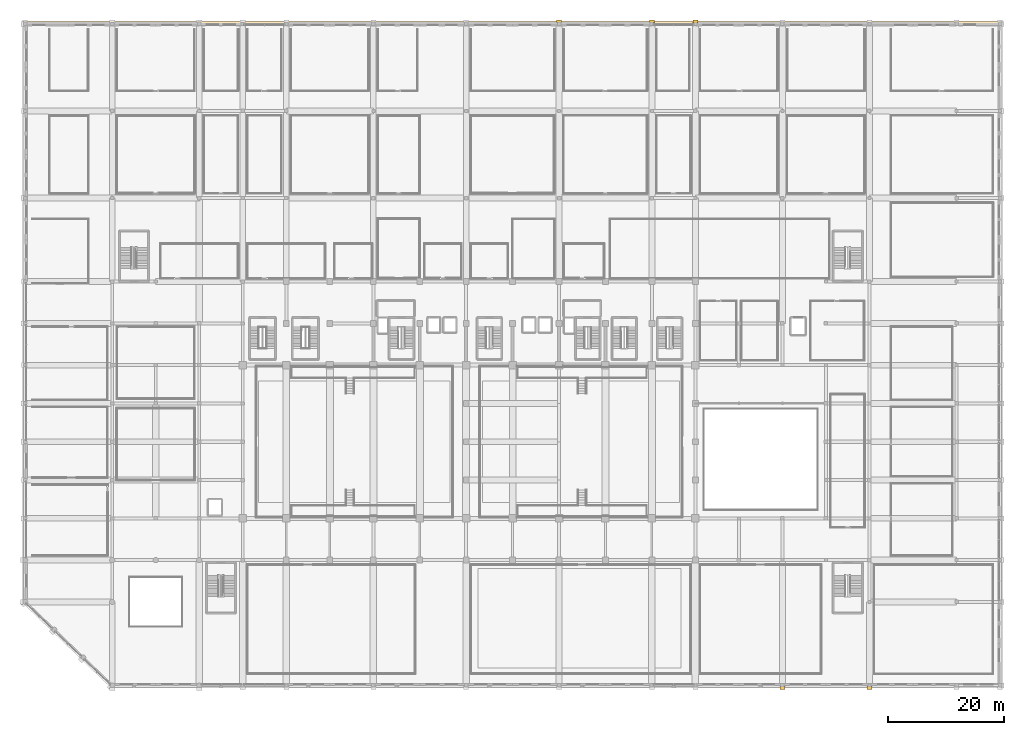
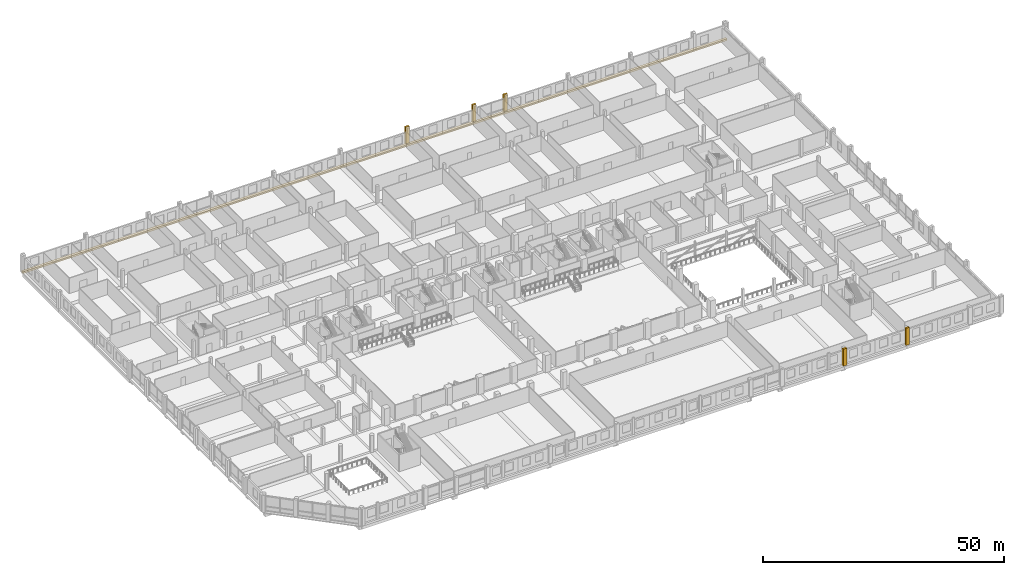
# One storey, part 65 of 68: 6 coverings.
"""IFC4 building model written with IfcOpenShell, lengths in metres."""

from ifc_helpers import new_model, si_unit, direction, frame, origin, origin_2d, place, context, subcontext, project, spatial, rectangle, extrude, material, layer, layer_set, type_object, element, save


model = new_model("IFC4")

# Units and contexts
model_context = context("Model", 3, precision=1e-05, world=origin(), true_north=direction((0.0, 1.0)))
body_context = subcontext(model_context, "Body", "Model", "MODEL_VIEW")
ifc_project = project(units=[si_unit("LENGTHUNIT", "METRE"), si_unit("AREAUNIT", "SQUARE_METRE"), si_unit("VOLUMEUNIT", "CUBIC_METRE"), si_unit("PLANEANGLEUNIT", "RADIAN"), si_unit("MASSUNIT", "GRAM", prefix="KILO")], contexts=[model_context])

# Site, building, storey
site_placement = place(None, origin())
site = spatial("IfcSite", under=ifc_project, at=site_placement, CompositionType="ELEMENT")
building_placement = place(site_placement, origin())
building = spatial("IfcBuilding", under=site, at=building_placement, Name="Akrevak Sports Hall", CompositionType="ELEMENT")
storey_placement = place(building_placement, frame((0.0, 0.0, 9.39990234375)))
storey = spatial("IfcBuildingStorey", under=building, at=storey_placement, Name="L02", CompositionType="ELEMENT", Elevation=9.39990234375)

# Coverings
ifc_material = material(Name="Limestone Ashlar", Category="stone")
ifc_layer_1 = layer(ifc_material, 0.6201171875, Name="Limestone Ashlar")
ifc_layer_set_1 = layer_set([ifc_layer_1], Name="Limestone Ashlar")
covering_type_1 = type_object("IfcCoveringType", Name="ARC-COV-CRN-LIM", PredefinedType="MOLDING", material=ifc_layer_set_1)
covering_placement = place(storey_placement, frame((84.0, 114.139892578125, -0.349853515625), z_axis=(0.0, 0.0, 1.0), x_axis=(-1.0, 0.0, 0.0)))
element("IfcCovering", 1, at=covering_placement, inside=storey, type_object=covering_type_1, Name="Tripartite Base Limestone Belt Course L02-BLT-03", PredefinedType="MOLDING", context=body_context, shape_type="SweptSolid", body=[
    extrude(rectangle(XDim=168.615966796875, YDim=0.60009765625, at=origin_2d()), origin(), (0.0, 0.0, 1.0), 0.4599609375),
])
ifc_layer_2 = layer(ifc_material, 0.47998046875, Name="Limestone Ashlar")
ifc_layer_set_2 = layer_set([ifc_layer_2], Name="Limestone Ashlar")
covering_type_2 = type_object("IfcCoveringType", Name="ARC-COV-PIL-LIM", PredefinedType="CLADDING", material=ifc_layer_set_2)
for number, where, z_axis, x_axis, name in (
    (2, (130.5, -0.449951171875, 0.0), (0.0, 0.0, 1.0), (1.0, 0.0, 0.0), "Giant-Order Limestone Pilaster L02-01-10"),
    (3, (145.5, -0.425048828125, 0.0), (0.0, 0.0, 1.0), (1.0, 0.0, 0.0), "Giant-Order Limestone Pilaster L02-01-11"),
    (4, (92.0, 114.449951171875, 0.0), (0.0, 0.0, 1.0), (-1.0, 0.0, 0.0), "Giant-Order Limestone Pilaster L02-03-33"),
    (5, (108.0, 114.449951171875, 0.0), (0.0, 0.0, 1.0), (-1.0, 0.0, 0.0), "Giant-Order Limestone Pilaster L02-03-34"),
    (6, (115.5, 114.425048828125, 0.0), (0.0, 0.0, 1.0), (-1.0, 0.0, 0.0), "Giant-Order Limestone Pilaster L02-03-35"),
):
    element("IfcCovering", number, at=place(storey_placement, frame(where, z_axis=z_axis, x_axis=x_axis)), inside=storey, type_object=covering_type_2, Name=name, PredefinedType="CLADDING", context=body_context, shape_type="SweptSolid", body=[
        extrude(rectangle(XDim=0.8798828125, YDim=0.4599609375, at=origin_2d()), origin(), (0.0, 0.0, 1.0), 4.320068359375),
    ])

save(model, "model.ifc")
